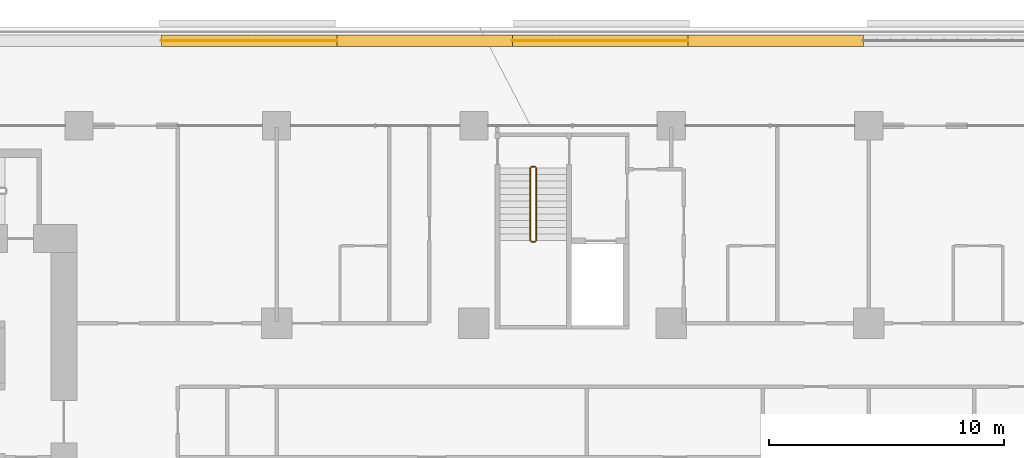
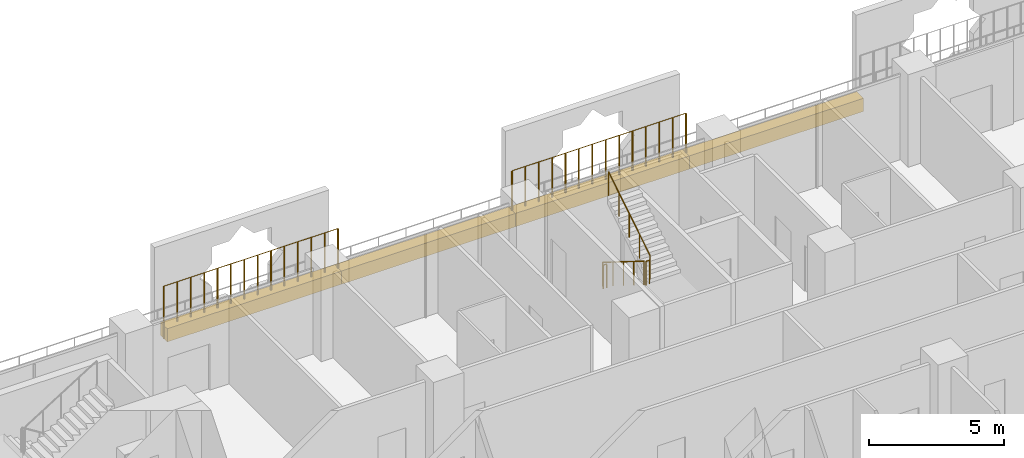
# One storey, part 28 of 29: 6 railings, 4 coverings.
"""IFC4 building model written with IfcOpenShell, lengths in metres."""

from ifc_helpers import new_model, si_unit, direction, frame, origin, origin_2d, place, context, subcontext, project, spatial, rectangle, circle, extrude, material, material_profile, profile_set, type_object, element, save


model = new_model("IFC4")

# Units and contexts
model_context = context("Model", 3, precision=1e-05, world=origin(), true_north=direction((0.0, 1.0)))
body_context = subcontext(model_context, "Body", "Model", "MODEL_VIEW")
ifc_project = project(units=[si_unit("LENGTHUNIT", "METRE"), si_unit("AREAUNIT", "SQUARE_METRE"), si_unit("VOLUMEUNIT", "CUBIC_METRE"), si_unit("PLANEANGLEUNIT", "RADIAN"), si_unit("MASSUNIT", "GRAM", prefix="KILO")], contexts=[model_context])

# Site, building, storey
site_placement = place(None, origin())
site = spatial("IfcSite", under=ifc_project, at=site_placement, CompositionType="ELEMENT")
building_placement = place(site_placement, origin())
building = spatial("IfcBuilding", under=site, at=building_placement, Name="Kawkab Arch Medical Tower", CompositionType="ELEMENT")
storey_placement = place(building_placement, frame((0.0, 0.0, 64.39990234375)))
storey = spatial("IfcBuildingStorey", under=building, at=storey_placement, Name="L14", CompositionType="ELEMENT", Elevation=64.39990234375)

# Coverings
ifc_material_1 = material(Name="Planting soil in a precast trough", Category="concrete")
ifc_material_profile = material_profile(ifc_material_1, rectangle(XDim=0.5, YDim=0.60009765625, at=origin_2d()), Name="Trough 500x600")
ifc_profile_set = profile_set([ifc_material_profile], Name="Planting soil in a precast trough")
covering_type = type_object("IfcCoveringType", Name="Planter trough 500 x 600", PredefinedType="USERDEFINED", material=ifc_profile_set)
for number, where, z_axis, x_axis, name in (
    (1, (28.695068359375, 3.6201171875, 0.300048828125), (1.0, 0.0, 0.0), (0.0, 1.0, 0.0), "Planter L14.LOG-01-01.23"),
    (2, (36.1650390625, 3.6201171875, 0.300048828125), (1.0, 0.0, 0.0), (0.0, 1.0, 0.0), "Planter L14.LOG-01-01.24"),
    (3, (43.635009765625, 3.6201171875, 0.300048828125), (1.0, 0.0, 0.0), (0.0, 1.0, 0.0), "Planter L14.LOG-01-01.25"),
):
    element("IfcCovering", number, at=place(storey_placement, frame(where, z_axis=z_axis, x_axis=x_axis)), inside=storey, type_object=covering_type, Name=name, ObjectType="PLANTER", PredefinedType="USERDEFINED", context=body_context, shape_type="SweptSolid", body=[
        extrude(rectangle(XDim=0.5, YDim=0.60009765625, at=origin_2d()), origin(), (0.0, 0.0, 1.0), 7.469970703125),
    ])
covering_placement = place(storey_placement, frame((51.10498046875, 3.6201171875, 0.300048828125), z_axis=(1.0, 0.0, 0.0), x_axis=(0.0, 1.0, 0.0)))
element("IfcCovering", 4, at=covering_placement, inside=storey, type_object=covering_type, Name="Planter L14.LOG-01-01.26", ObjectType="PLANTER", PredefinedType="USERDEFINED", context=body_context, shape_type="SweptSolid", body=[
    extrude(rectangle(XDim=0.5, YDim=0.60009765625, at=origin_2d()), origin(), (0.0, 0.0, 1.0), 7.470947265625),
])

# Railings
ifc_material_2 = material(Name="Bronze anodised aluminium trellis for climbing plants", Category="aluminium")
railing_type_1 = type_object("IfcRailingType", Name="Planting trellis 2400", PredefinedType="USERDEFINED", material=ifc_material_2)
railing_1_placement = place(storey_placement, frame((28.695068359375, 3.6201171875, 0.0)))
element("IfcRailing", 5, at=railing_1_placement, inside=storey, type_object=railing_type_1, Name="Planting trellis L14.LOG-01-01.23", ObjectType="TRELLIS", PredefinedType="USERDEFINED", context=body_context, shape_type="SweptSolid", body=[
    extrude(circle(Radius=0.01513671875, at=origin_2d()), frame((0.0, 0.0, 2.384765625), z_axis=(1.0, 0.0, 0.0), x_axis=(0.0, 1.0, 0.0)), (0.0, 0.0, 1.0), 7.469970703125),
    extrude(circle(Radius=0.030029296875, at=origin_2d()), origin(), (0.0, 0.0, 1.0), 2.369873046875),
    extrude(circle(Radius=0.030029296875, at=origin_2d()), frame((0.57470703125, 0.0, 0.0)), (0.0, 0.0, 1.0), 2.369873046875),
    extrude(circle(Radius=0.030029296875, at=origin_2d()), frame((1.149169921875, 0.0, 0.0)), (0.0, 0.0, 1.0), 2.369873046875),
    extrude(circle(Radius=0.030029296875, at=origin_2d()), frame((1.723876953125, 0.0, 0.0)), (0.0, 0.0, 1.0), 2.369873046875),
    extrude(circle(Radius=0.030029296875, at=origin_2d()), frame((2.29833984375, 0.0, 0.0)), (0.0, 0.0, 1.0), 2.369873046875),
    extrude(circle(Radius=0.030029296875, at=origin_2d()), frame((2.873046875, 0.0, 0.0)), (0.0, 0.0, 1.0), 2.369873046875),
    extrude(circle(Radius=0.030029296875, at=origin_2d()), frame((3.44775390625, 0.0, 0.0)), (0.0, 0.0, 1.0), 2.369873046875),
    extrude(circle(Radius=0.030029296875, at=origin_2d()), frame((4.022216796875, 0.0, 0.0)), (0.0, 0.0, 1.0), 2.369873046875),
    extrude(circle(Radius=0.030029296875, at=origin_2d()), frame((4.596923828125, 0.0, 0.0)), (0.0, 0.0, 1.0), 2.369873046875),
    extrude(circle(Radius=0.030029296875, at=origin_2d()), frame((5.171630859375, 0.0, 0.0)), (0.0, 0.0, 1.0), 2.369873046875),
    extrude(circle(Radius=0.030029296875, at=origin_2d()), frame((5.74609375, 0.0, 0.0)), (0.0, 0.0, 1.0), 2.369873046875),
    extrude(circle(Radius=0.030029296875, at=origin_2d()), frame((6.32080078125, 0.0, 0.0)), (0.0, 0.0, 1.0), 2.369873046875),
    extrude(circle(Radius=0.030029296875, at=origin_2d()), frame((6.895263671875, 0.0, 0.0)), (0.0, 0.0, 1.0), 2.369873046875),
    extrude(circle(Radius=0.030029296875, at=origin_2d()), frame((7.469970703125, 0.0, 0.0)), (0.0, 0.0, 1.0), 2.369873046875),
])
railing_2_placement = place(storey_placement, frame((43.635009765625, 3.6201171875, 0.0)))
element("IfcRailing", 6, at=railing_2_placement, inside=storey, type_object=railing_type_1, Name="Planting trellis L14.LOG-01-01.25", ObjectType="TRELLIS", PredefinedType="USERDEFINED", context=body_context, shape_type="SweptSolid", body=[
    extrude(circle(Radius=0.01513671875, at=origin_2d()), frame((0.0, 0.0, 2.384765625), z_axis=(1.0, 0.0, 0.0), x_axis=(0.0, 1.0, 0.0)), (0.0, 0.0, 1.0), 7.469970703125),
    extrude(circle(Radius=0.030029296875, at=origin_2d()), origin(), (0.0, 0.0, 1.0), 2.369873046875),
    extrude(circle(Radius=0.030029296875, at=origin_2d()), frame((0.57470703125, 0.0, 0.0)), (0.0, 0.0, 1.0), 2.369873046875),
    extrude(circle(Radius=0.030029296875, at=origin_2d()), frame((1.149169921875, 0.0, 0.0)), (0.0, 0.0, 1.0), 2.369873046875),
    extrude(circle(Radius=0.030029296875, at=origin_2d()), frame((1.723876953125, 0.0, 0.0)), (0.0, 0.0, 1.0), 2.369873046875),
    extrude(circle(Radius=0.030029296875, at=origin_2d()), frame((2.29833984375, 0.0, 0.0)), (0.0, 0.0, 1.0), 2.369873046875),
    extrude(circle(Radius=0.030029296875, at=origin_2d()), frame((2.873046875, 0.0, 0.0)), (0.0, 0.0, 1.0), 2.369873046875),
    extrude(circle(Radius=0.030029296875, at=origin_2d()), frame((3.44775390625, 0.0, 0.0)), (0.0, 0.0, 1.0), 2.369873046875),
    extrude(circle(Radius=0.030029296875, at=origin_2d()), frame((4.022216796875, 0.0, 0.0)), (0.0, 0.0, 1.0), 2.369873046875),
    extrude(circle(Radius=0.030029296875, at=origin_2d()), frame((4.596923828125, 0.0, 0.0)), (0.0, 0.0, 1.0), 2.369873046875),
    extrude(circle(Radius=0.030029296875, at=origin_2d()), frame((5.171630859375, 0.0, 0.0)), (0.0, 0.0, 1.0), 2.369873046875),
    extrude(circle(Radius=0.030029296875, at=origin_2d()), frame((5.74609375, 0.0, 0.0)), (0.0, 0.0, 1.0), 2.369873046875),
    extrude(circle(Radius=0.030029296875, at=origin_2d()), frame((6.32080078125, 0.0, 0.0)), (0.0, 0.0, 1.0), 2.369873046875),
    extrude(circle(Radius=0.030029296875, at=origin_2d()), frame((6.895263671875, 0.0, 0.0)), (0.0, 0.0, 1.0), 2.369873046875),
    extrude(circle(Radius=0.030029296875, at=origin_2d()), frame((7.469970703125, 0.0, 0.0)), (0.0, 0.0, 1.0), 2.369873046875),
])
ifc_material_3 = material(Name="Stainless steel", Category="steel")
railing_type_2 = type_object("IfcRailingType", Name="Stair guard 1100", PredefinedType="GUARDRAIL", material=ifc_material_3)
railing_3_placement = place(storey_placement, frame((44.39990234375, -1.800048828125, 0.175048828125)))
element("IfcRailing", 7, at=railing_3_placement, inside=storey, type_object=railing_type_2, Name="L14 ST5 stair guard 1", PredefinedType="GUARDRAIL", context=body_context, shape_type="SweptSolid", body=[
    extrude(circle(Radius=0.02392578125, at=origin_2d()), frame((0.0, 0.0, 1.076171875), z_axis=(0.0, -0.847979421464, 0.530029150871), x_axis=(1.0, 0.0, 0.0)), (0.0, 0.0, 1.0), 3.632080078125),
    extrude(circle(Radius=0.02099609375, at=origin_2d()), origin(), (0.0, 0.0, 1.0), 1.052001953125),
    extrude(circle(Radius=0.02099609375, at=origin_2d()), frame((0.0, -0.77001953125, 0.481201171875)), (0.0, 0.0, 1.0), 1.052001953125),
    extrude(circle(Radius=0.02099609375, at=origin_2d()), frame((0.0, -1.5400390625, 0.96240234375)), (0.0, 0.0, 1.0), 1.052001953125),
    extrude(circle(Radius=0.02099609375, at=origin_2d()), frame((0.0, -2.309814453125, 1.44384765625)), (0.0, 0.0, 1.0), 1.052001953125),
    extrude(circle(Radius=0.02099609375, at=origin_2d()), frame((0.0, -3.079833984375, 1.925048828125)), (0.0, 0.0, 1.0), 1.052001953125),
])
railing_4_placement = place(storey_placement, frame((44.449951171875, -4.929931640625, 2.10009765625)))
element("IfcRailing", 8, at=railing_4_placement, inside=storey, type_object=railing_type_2, Name="L14 ST5 stair guard 2", PredefinedType="GUARDRAIL", context=body_context, shape_type="SweptSolid", body=[
    extrude(circle(Radius=0.02392578125, at=origin_2d()), frame((0.0, 0.0, 1.076171875), z_axis=(1.0, 0.0, 0.0), x_axis=(0.0, 1.0, 0.0)), (0.0, 0.0, 1.0), 0.150146484375),
    extrude(circle(Radius=0.02099609375, at=origin_2d()), origin(), (0.0, 0.0, 1.0), 1.052001953125),
    extrude(circle(Radius=0.02099609375, at=origin_2d()), frame((0.150146484375, 0.0, 0.0)), (0.0, 0.0, 1.0), 1.052001953125),
])
railing_5_placement = place(storey_placement, frame((44.64990234375, -4.8798828125, 2.275146484375)))
element("IfcRailing", 9, at=railing_5_placement, inside=storey, type_object=railing_type_2, Name="L14 ST5 stair guard 3", PredefinedType="GUARDRAIL", context=body_context, shape_type="SweptSolid", body=[
    extrude(circle(Radius=0.02392578125, at=origin_2d()), frame((0.0, 0.0, 1.076171875), z_axis=(0.0, 0.847979421464, 0.530029150871), x_axis=(-1.0, 0.0, 0.0)), (0.0, 0.0, 1.0), 3.632080078125),
    extrude(circle(Radius=0.02099609375, at=origin_2d()), origin(), (0.0, 0.0, 1.0), 1.052001953125),
    extrude(circle(Radius=0.02099609375, at=origin_2d()), frame((0.0, 0.77001953125, 0.481201171875)), (0.0, 0.0, 1.0), 1.052001953125),
    extrude(circle(Radius=0.02099609375, at=origin_2d()), frame((0.0, 1.5400390625, 0.96240234375)), (0.0, 0.0, 1.0), 1.052001953125),
    extrude(circle(Radius=0.02099609375, at=origin_2d()), frame((0.0, 2.309814453125, 1.44384765625)), (0.0, 0.0, 1.0), 1.052001953125),
    extrude(circle(Radius=0.02099609375, at=origin_2d()), frame((0.0, 3.079833984375, 1.925048828125)), (0.0, 0.0, 1.0), 1.052001953125),
])
railing_6_placement = place(storey_placement, frame((44.449951171875, -1.75, 0.0)))
element("IfcRailing", 10, at=railing_6_placement, inside=storey, type_object=railing_type_2, Name="L14 ST5 stair guard 4", PredefinedType="GUARDRAIL", context=body_context, shape_type="SweptSolid", body=[
    extrude(circle(Radius=0.02392578125, at=origin_2d()), frame((0.0, 0.0, 1.076171875), z_axis=(1.0, 0.0, 0.0), x_axis=(0.0, 1.0, 0.0)), (0.0, 0.0, 1.0), 0.150146484375),
    extrude(circle(Radius=0.02099609375, at=origin_2d()), origin(), (0.0, 0.0, 1.0), 1.052001953125),
    extrude(circle(Radius=0.02099609375, at=origin_2d()), frame((0.150146484375, 0.0, 0.0)), (0.0, 0.0, 1.0), 1.052001953125),
])

save(model, "model.ifc")
